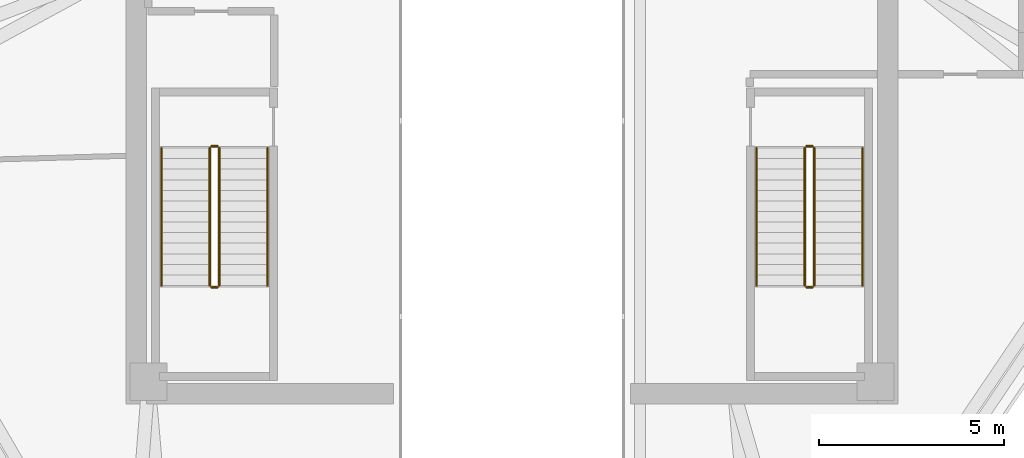
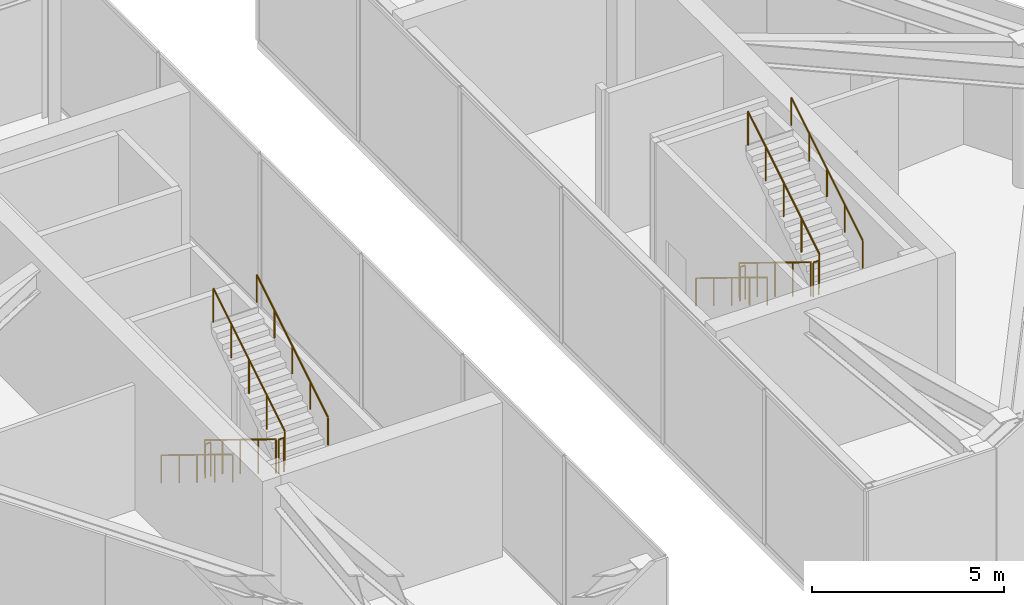
# One storey, part 8 of 8: 12 railings.
"""IFC4 building model written with IfcOpenShell, lengths in metres."""

from ifc_helpers import new_model, si_unit, direction, frame, origin, origin_2d, place, context, subcontext, project, spatial, circle, extrude, material, type_object, element, save


model = new_model("IFC4")

# Units and contexts
model_context = context("Model", 3, precision=1e-05, world=origin(), true_north=direction((0.0, 1.0)))
body_context = subcontext(model_context, "Body", "Model", "MODEL_VIEW")
ifc_project = project(units=[si_unit("LENGTHUNIT", "METRE"), si_unit("AREAUNIT", "SQUARE_METRE"), si_unit("VOLUMEUNIT", "CUBIC_METRE"), si_unit("PLANEANGLEUNIT", "RADIAN"), si_unit("MASSUNIT", "GRAM", prefix="KILO")], contexts=[model_context])

# Site, building, storey
site_placement = place(None, origin())
site = spatial("IfcSite", under=ifc_project, at=site_placement, CompositionType="ELEMENT")
building_placement = place(site_placement, origin())
building = spatial("IfcBuilding", under=site, at=building_placement, Name="Durnholm Broadcast Tower", CompositionType="ELEMENT")
storey_placement = place(building_placement, frame((0.0, 0.0, 282.10009765625)))
storey = spatial("IfcBuildingStorey", under=building, at=storey_placement, Name="L78", CompositionType="ELEMENT", Elevation=282.10009765625)

# Railings
ifc_material_1 = material(Name="Painted Tubular Steel Stair Guardrail", Category="steel")
railing_type_1 = type_object("IfcRailingType", Name="RAIL-ST-GRD", PredefinedType="GUARDRAIL", material=ifc_material_1)
railing_1_placement = place(storey_placement, frame((-8.14990234375, -1.5, 0.1748046875)))
element("IfcRailing", 1, at=railing_1_placement, inside=storey, type_object=railing_type_1, Name="L78 ST-1 stair guard 1", PredefinedType="GUARDRAIL", context=body_context, shape_type="SweptSolid", body=[
    extrude(circle(Radius=0.02392578125, at=origin_2d()), frame((0.0, 0.0, 1.076171875), z_axis=(0.0, -0.852161122236, 0.523279487224), x_axis=(1.0, 0.0, 0.0)), (0.0, 0.0, 1.0), 4.347900390625),
    extrude(circle(Radius=0.02099609375, at=origin_2d()), origin(), (0.0, 0.0, 1.0), 1.052001953125),
    extrude(circle(Radius=0.02099609375, at=origin_2d()), frame((0.0, -0.92626953125, 0.56884765625)), (0.0, 0.0, 1.0), 1.052001953125),
    extrude(circle(Radius=0.02099609375, at=origin_2d()), frame((0.0, -1.8525390625, 1.1376953125)), (0.0, 0.0, 1.0), 1.052001953125),
    extrude(circle(Radius=0.02099609375, at=origin_2d()), frame((0.0, -2.77880859375, 1.706298828125)), (0.0, 0.0, 1.0), 1.052001953125),
    extrude(circle(Radius=0.02099609375, at=origin_2d()), frame((0.0, -3.705078125, 2.275146484375)), (0.0, 0.0, 1.0), 1.052001953125),
])
railing_2_placement = place(storey_placement, frame((-8.10009765625, -5.2548828125, 2.449951171875)))
element("IfcRailing", 2, at=railing_2_placement, inside=storey, type_object=railing_type_1, Name="L78 ST-1 stair guard 2", PredefinedType="GUARDRAIL", context=body_context, shape_type="SweptSolid", body=[
    extrude(circle(Radius=0.02392578125, at=origin_2d()), frame((0.0, 0.0, 1.076171875), z_axis=(1.0, 0.0, 0.0), x_axis=(0.0, 1.0, 0.0)), (0.0, 0.0, 1.0), 0.16015625),
    extrude(circle(Radius=0.02099609375, at=origin_2d()), origin(), (0.0, 0.0, 1.0), 1.052001953125),
    extrude(circle(Radius=0.02099609375, at=origin_2d()), frame((0.16015625, 0.0, 0.0)), (0.0, 0.0, 1.0), 1.052001953125),
])
railing_3_placement = place(storey_placement, frame((-7.889892578125, -5.205078125, 2.625)))
element("IfcRailing", 3, at=railing_3_placement, inside=storey, type_object=railing_type_1, Name="L78 ST-1 stair guard 3", PredefinedType="GUARDRAIL", context=body_context, shape_type="SweptSolid", body=[
    extrude(circle(Radius=0.02392578125, at=origin_2d()), frame((0.0, 0.0, 1.076171875), z_axis=(0.0, 0.85218616116, 0.523238709126), x_axis=(-1.0, 0.0, 0.0)), (0.0, 0.0, 1.0), 4.34765625),
    extrude(circle(Radius=0.02099609375, at=origin_2d()), origin(), (0.0, 0.0, 1.0), 1.052001953125),
    extrude(circle(Radius=0.02099609375, at=origin_2d()), frame((0.0, 0.92626953125, 0.56884765625)), (0.0, 0.0, 1.0), 1.052001953125),
    extrude(circle(Radius=0.02099609375, at=origin_2d()), frame((0.0, 1.8525390625, 1.137451171875)), (0.0, 0.0, 1.0), 1.052001953125),
    extrude(circle(Radius=0.02099609375, at=origin_2d()), frame((0.0, 2.77880859375, 1.7060546875)), (0.0, 0.0, 1.0), 1.052001953125),
    extrude(circle(Radius=0.02099609375, at=origin_2d()), frame((0.0, 3.705078125, 2.27490234375)), (0.0, 0.0, 1.0), 1.052001953125),
])
railing_4_placement = place(storey_placement, frame((-8.10009765625, -1.449951171875, 0.0)))
element("IfcRailing", 4, at=railing_4_placement, inside=storey, type_object=railing_type_1, Name="L78 ST-1 stair guard 4", PredefinedType="GUARDRAIL", context=body_context, shape_type="SweptSolid", body=[
    extrude(circle(Radius=0.02392578125, at=origin_2d()), frame((0.0, 0.0, 1.076171875), z_axis=(1.0, 0.0, 0.0), x_axis=(0.0, 1.0, 0.0)), (0.0, 0.0, 1.0), 0.16015625),
    extrude(circle(Radius=0.02099609375, at=origin_2d()), origin(), (0.0, 0.0, 1.0), 1.052001953125),
    extrude(circle(Radius=0.02099609375, at=origin_2d()), frame((0.16015625, 0.0, 0.0)), (0.0, 0.0, 1.0), 1.052001953125),
])
railing_5_placement = place(storey_placement, frame((7.889892578125, -1.5, 0.1748046875)))
element("IfcRailing", 5, at=railing_5_placement, inside=storey, type_object=railing_type_1, Name="L78 ST-2 stair guard 1", PredefinedType="GUARDRAIL", context=body_context, shape_type="SweptSolid", body=[
    extrude(circle(Radius=0.02392578125, at=origin_2d()), frame((0.0, 0.0, 1.076171875), z_axis=(0.0, -0.852161122236, 0.523279487224), x_axis=(1.0, 0.0, 0.0)), (0.0, 0.0, 1.0), 4.347900390625),
    extrude(circle(Radius=0.02099609375, at=origin_2d()), origin(), (0.0, 0.0, 1.0), 1.052001953125),
    extrude(circle(Radius=0.02099609375, at=origin_2d()), frame((0.0, -0.92626953125, 0.56884765625)), (0.0, 0.0, 1.0), 1.052001953125),
    extrude(circle(Radius=0.02099609375, at=origin_2d()), frame((0.0, -1.8525390625, 1.1376953125)), (0.0, 0.0, 1.0), 1.052001953125),
    extrude(circle(Radius=0.02099609375, at=origin_2d()), frame((0.0, -2.77880859375, 1.706298828125)), (0.0, 0.0, 1.0), 1.052001953125),
    extrude(circle(Radius=0.02099609375, at=origin_2d()), frame((0.0, -3.705078125, 2.275146484375)), (0.0, 0.0, 1.0), 1.052001953125),
])
railing_6_placement = place(storey_placement, frame((7.93994140625, -5.2548828125, 2.449951171875)))
element("IfcRailing", 6, at=railing_6_placement, inside=storey, type_object=railing_type_1, Name="L78 ST-2 stair guard 2", PredefinedType="GUARDRAIL", context=body_context, shape_type="SweptSolid", body=[
    extrude(circle(Radius=0.02392578125, at=origin_2d()), frame((0.0, 0.0, 1.076171875), z_axis=(1.0, 0.0, 0.0), x_axis=(0.0, 1.0, 0.0)), (0.0, 0.0, 1.0), 0.16015625),
    extrude(circle(Radius=0.02099609375, at=origin_2d()), origin(), (0.0, 0.0, 1.0), 1.052001953125),
    extrude(circle(Radius=0.02099609375, at=origin_2d()), frame((0.16015625, 0.0, 0.0)), (0.0, 0.0, 1.0), 1.052001953125),
])
railing_7_placement = place(storey_placement, frame((8.14990234375, -5.205078125, 2.625)))
element("IfcRailing", 7, at=railing_7_placement, inside=storey, type_object=railing_type_1, Name="L78 ST-2 stair guard 3", PredefinedType="GUARDRAIL", context=body_context, shape_type="SweptSolid", body=[
    extrude(circle(Radius=0.02392578125, at=origin_2d()), frame((0.0, 0.0, 1.076171875), z_axis=(0.0, 0.85218616116, 0.523238709126), x_axis=(-1.0, 0.0, 0.0)), (0.0, 0.0, 1.0), 4.34765625),
    extrude(circle(Radius=0.02099609375, at=origin_2d()), origin(), (0.0, 0.0, 1.0), 1.052001953125),
    extrude(circle(Radius=0.02099609375, at=origin_2d()), frame((0.0, 0.92626953125, 0.56884765625)), (0.0, 0.0, 1.0), 1.052001953125),
    extrude(circle(Radius=0.02099609375, at=origin_2d()), frame((0.0, 1.8525390625, 1.137451171875)), (0.0, 0.0, 1.0), 1.052001953125),
    extrude(circle(Radius=0.02099609375, at=origin_2d()), frame((0.0, 2.77880859375, 1.7060546875)), (0.0, 0.0, 1.0), 1.052001953125),
    extrude(circle(Radius=0.02099609375, at=origin_2d()), frame((0.0, 3.705078125, 2.27490234375)), (0.0, 0.0, 1.0), 1.052001953125),
])
railing_8_placement = place(storey_placement, frame((7.93994140625, -1.449951171875, 0.0)))
element("IfcRailing", 8, at=railing_8_placement, inside=storey, type_object=railing_type_1, Name="L78 ST-2 stair guard 4", PredefinedType="GUARDRAIL", context=body_context, shape_type="SweptSolid", body=[
    extrude(circle(Radius=0.02392578125, at=origin_2d()), frame((0.0, 0.0, 1.076171875), z_axis=(1.0, 0.0, 0.0), x_axis=(0.0, 1.0, 0.0)), (0.0, 0.0, 1.0), 0.16015625),
    extrude(circle(Radius=0.02099609375, at=origin_2d()), origin(), (0.0, 0.0, 1.0), 1.052001953125),
    extrude(circle(Radius=0.02099609375, at=origin_2d()), frame((0.16015625, 0.0, 0.0)), (0.0, 0.0, 1.0), 1.052001953125),
])
ifc_material_2 = material(Name="Brushed Stainless Steel Handrail", Category="steel")
railing_type_2 = type_object("IfcRailingType", Name="RAIL-ST-HND", PredefinedType="HANDRAIL", material=ifc_material_2)
railing_9_placement = place(storey_placement, frame((-9.449951171875, -1.5, 0.349853515625)))
element("IfcRailing", 9, at=railing_9_placement, inside=storey, type_object=railing_type_2, Name="L78 ST-1 stair handrail 1", PredefinedType="HANDRAIL", context=body_context, shape_type="SweptSolid", body=[
    extrude(circle(Radius=0.02392578125, at=origin_2d()), frame((0.0, 0.0, 0.8759765625), z_axis=(0.0, -0.852161122236, 0.523279487224), x_axis=(1.0, 0.0, 0.0)), (0.0, 0.0, 1.0), 4.347900390625),
    extrude(circle(Radius=0.02099609375, at=origin_2d()), origin(), (0.0, 0.0, 1.0), 0.851806640625),
    extrude(circle(Radius=0.02099609375, at=origin_2d()), frame((0.0, -0.92626953125, 0.56884765625)), (0.0, 0.0, 1.0), 0.851806640625),
    extrude(circle(Radius=0.02099609375, at=origin_2d()), frame((0.0, -1.8525390625, 1.1376953125)), (0.0, 0.0, 1.0), 0.851806640625),
    extrude(circle(Radius=0.02099609375, at=origin_2d()), frame((0.0, -2.77880859375, 1.706298828125)), (0.0, 0.0, 1.0), 0.851806640625),
    extrude(circle(Radius=0.02099609375, at=origin_2d()), frame((0.0, -3.705078125, 2.275146484375)), (0.0, 0.0, 1.0), 0.851806640625),
])
railing_10_placement = place(storey_placement, frame((-6.590087890625, -5.205078125, 2.7998046875)))
element("IfcRailing", 10, at=railing_10_placement, inside=storey, type_object=railing_type_2, Name="L78 ST-1 stair handrail 2", PredefinedType="HANDRAIL", context=body_context, shape_type="SweptSolid", body=[
    extrude(circle(Radius=0.02392578125, at=origin_2d()), frame((0.0, 0.0, 0.8759765625), z_axis=(0.0, 0.852161122236, 0.523279487224), x_axis=(-1.0, 0.0, 0.0)), (0.0, 0.0, 1.0), 4.347900390625),
    extrude(circle(Radius=0.02099609375, at=origin_2d()), origin(), (0.0, 0.0, 1.0), 0.851806640625),
    extrude(circle(Radius=0.02099609375, at=origin_2d()), frame((0.0, 0.92626953125, 0.56884765625)), (0.0, 0.0, 1.0), 0.851806640625),
    extrude(circle(Radius=0.02099609375, at=origin_2d()), frame((0.0, 1.8525390625, 1.1376953125)), (0.0, 0.0, 1.0), 0.851806640625),
    extrude(circle(Radius=0.02099609375, at=origin_2d()), frame((0.0, 2.77880859375, 1.706298828125)), (0.0, 0.0, 1.0), 0.851806640625),
    extrude(circle(Radius=0.02099609375, at=origin_2d()), frame((0.0, 3.705078125, 2.275146484375)), (0.0, 0.0, 1.0), 0.851806640625),
])
railing_11_placement = place(storey_placement, frame((6.590087890625, -1.5, 0.349853515625)))
element("IfcRailing", 11, at=railing_11_placement, inside=storey, type_object=railing_type_2, Name="L78 ST-2 stair handrail 1", PredefinedType="HANDRAIL", context=body_context, shape_type="SweptSolid", body=[
    extrude(circle(Radius=0.02392578125, at=origin_2d()), frame((0.0, 0.0, 0.8759765625), z_axis=(0.0, -0.852161122236, 0.523279487224), x_axis=(1.0, 0.0, 0.0)), (0.0, 0.0, 1.0), 4.347900390625),
    extrude(circle(Radius=0.02099609375, at=origin_2d()), origin(), (0.0, 0.0, 1.0), 0.851806640625),
    extrude(circle(Radius=0.02099609375, at=origin_2d()), frame((0.0, -0.92626953125, 0.56884765625)), (0.0, 0.0, 1.0), 0.851806640625),
    extrude(circle(Radius=0.02099609375, at=origin_2d()), frame((0.0, -1.8525390625, 1.1376953125)), (0.0, 0.0, 1.0), 0.851806640625),
    extrude(circle(Radius=0.02099609375, at=origin_2d()), frame((0.0, -2.77880859375, 1.706298828125)), (0.0, 0.0, 1.0), 0.851806640625),
    extrude(circle(Radius=0.02099609375, at=origin_2d()), frame((0.0, -3.705078125, 2.275146484375)), (0.0, 0.0, 1.0), 0.851806640625),
])
railing_12_placement = place(storey_placement, frame((9.449951171875, -5.205078125, 2.7998046875)))
element("IfcRailing", 12, at=railing_12_placement, inside=storey, type_object=railing_type_2, Name="L78 ST-2 stair handrail 2", PredefinedType="HANDRAIL", context=body_context, shape_type="SweptSolid", body=[
    extrude(circle(Radius=0.02392578125, at=origin_2d()), frame((0.0, 0.0, 0.8759765625), z_axis=(0.0, 0.852161122236, 0.523279487224), x_axis=(-1.0, 0.0, 0.0)), (0.0, 0.0, 1.0), 4.347900390625),
    extrude(circle(Radius=0.02099609375, at=origin_2d()), origin(), (0.0, 0.0, 1.0), 0.851806640625),
    extrude(circle(Radius=0.02099609375, at=origin_2d()), frame((0.0, 0.92626953125, 0.56884765625)), (0.0, 0.0, 1.0), 0.851806640625),
    extrude(circle(Radius=0.02099609375, at=origin_2d()), frame((0.0, 1.8525390625, 1.1376953125)), (0.0, 0.0, 1.0), 0.851806640625),
    extrude(circle(Radius=0.02099609375, at=origin_2d()), frame((0.0, 2.77880859375, 1.706298828125)), (0.0, 0.0, 1.0), 0.851806640625),
    extrude(circle(Radius=0.02099609375, at=origin_2d()), frame((0.0, 3.705078125, 2.275146484375)), (0.0, 0.0, 1.0), 0.851806640625),
])

save(model, "model.ifc")
